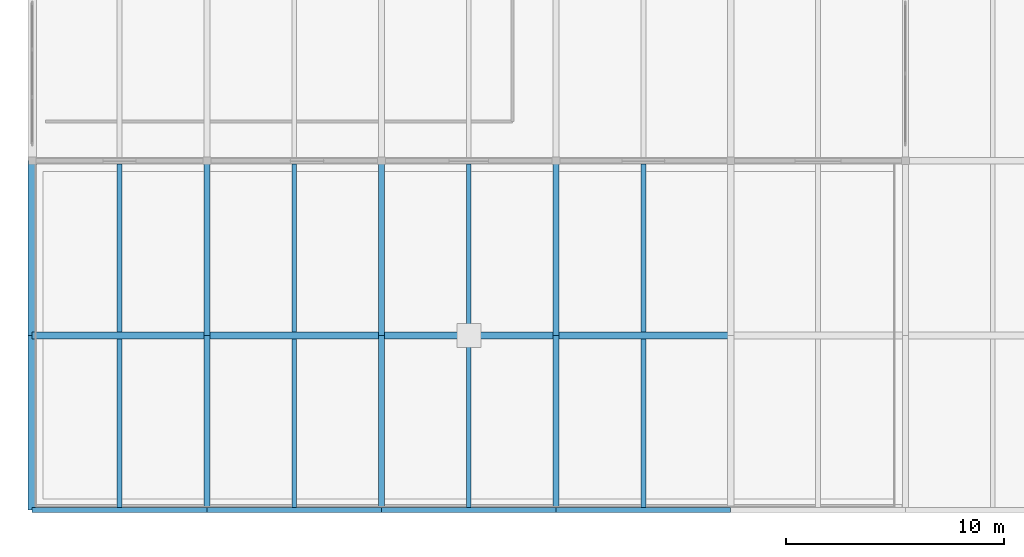
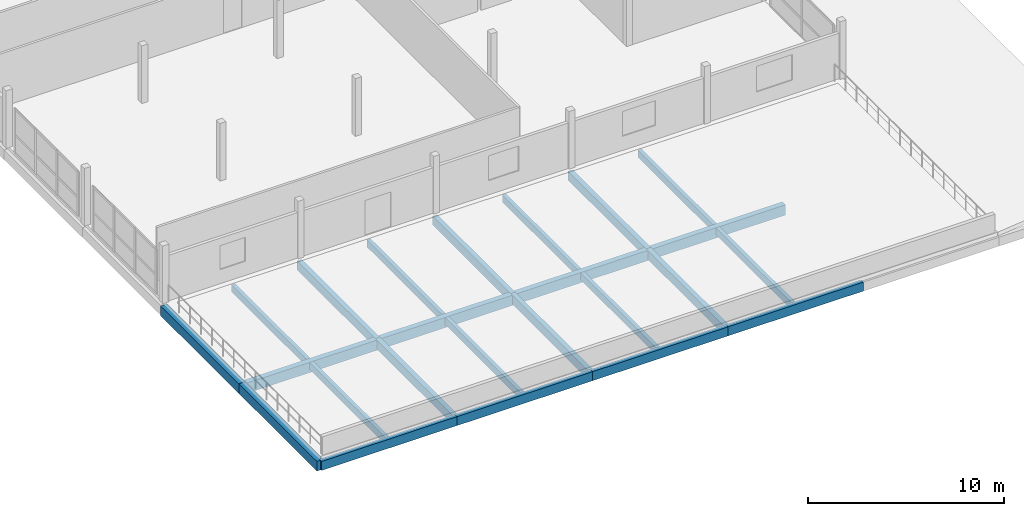
# One storey, part 3 of 25: 24 beams.
"""IFC4 building model written with IfcOpenShell, lengths in metres."""

from ifc_helpers import new_model, si_unit, direction, frame, origin, origin_2d, place, context, subcontext, project, spatial, rectangle, extrude, material, material_profile, profile_set, type_object, element, save


model = new_model("IFC4")

# Units and contexts
model_context = context("Model", 3, precision=1e-05, world=origin(), true_north=direction((0.0, 1.0)))
body_context = subcontext(model_context, "Body", "Model", "MODEL_VIEW")
ifc_project = project(units=[si_unit("LENGTHUNIT", "METRE"), si_unit("AREAUNIT", "SQUARE_METRE"), si_unit("VOLUMEUNIT", "CUBIC_METRE"), si_unit("PLANEANGLEUNIT", "RADIAN"), si_unit("MASSUNIT", "GRAM", prefix="KILO")], contexts=[model_context])

# Site, building, storey
site_placement = place(None, origin())
site = spatial("IfcSite", under=ifc_project, at=site_placement, CompositionType="ELEMENT")
building_placement = place(site_placement, origin())
building = spatial("IfcBuilding", under=site, at=building_placement, Name="Vharandega Faculty of Natural Sciences", CompositionType="ELEMENT")
storey_placement = place(building_placement, frame((0.0, 0.0, 25.199951171875)))
storey = spatial("IfcBuildingStorey", under=building, at=storey_placement, Name="L06", CompositionType="ELEMENT", Elevation=25.199951171875)

# Beams
ifc_material_1 = material(Name="Glulam GL28h", Category="wood")
ifc_material_profile_1 = material_profile(ifc_material_1, rectangle(XDim=0.280029296875, YDim=0.56005859375, at=origin_2d()), Name="GL28h 280x560")
ifc_profile_set_1 = profile_set([ifc_material_profile_1], Name="Glulam GL28h")
beam_type_1 = type_object("IfcBeamType", Name="Glulam Floor Beam 280x560", PredefinedType="BEAM", material=ifc_profile_set_1)
for number, where, z_axis, x_axis, name in (
    (1, (8.0, 16.0, -0.52001953125), (0.0, 1.0, 0.0), (-1.0, 0.0, 0.0), "Beam L06 2/C-D"),
    (2, (8.0, 24.0, -0.52001953125), (0.0, 1.0, 0.0), (-1.0, 0.0, 0.0), "Beam L06 2/D-E"),
    (3, (16.0, 16.0, -0.52001953125), (0.0, 1.0, 0.0), (-1.0, 0.0, 0.0), "Beam L06 3/C-D"),
    (4, (16.0, 24.0, -0.52001953125), (0.0, 1.0, 0.0), (-1.0, 0.0, 0.0), "Beam L06 3/D-E"),
    (5, (24.0, 16.0, -0.52001953125), (0.0, 1.0, 0.0), (-1.0, 0.0, 0.0), "Beam L06 4/C-D"),
    (6, (24.0, 24.0, -0.52001953125), (0.0, 1.0, 0.0), (-1.0, 0.0, 0.0), "Beam L06 4/D-E"),
):
    element("IfcBeam", number, at=place(storey_placement, frame(where, z_axis=z_axis, x_axis=x_axis)), inside=storey, type_object=beam_type_1, Name=name, PredefinedType="BEAM", context=body_context, shape_type="SweptSolid", body=[
        extrude(rectangle(XDim=0.280029296875, YDim=0.56005859375, at=origin_2d()), origin(), (0.0, 0.0, 1.0), 8.0),
    ])
ifc_material_2 = material(Name="Glulam GL28h", Category="wood")
ifc_material_profile_2 = material_profile(ifc_material_2, rectangle(XDim=0.320068359375, YDim=0.639892578125, at=origin_2d()), Name="GL28h 320x640")
ifc_profile_set_2 = profile_set([ifc_material_profile_2], Name="Glulam GL28h")
beam_type_2 = type_object("IfcBeamType", Name="Glulam Floor Beam 320x640", PredefinedType="BEAM", material=ifc_profile_set_2)
for number, where, z_axis, x_axis, name in (
    (7, (0.0, 24.0, -0.56005859375), (1.0, 0.0, 0.0), (0.0, 1.0, 0.0), "Beam L06 D/1-2"),
    (8, (8.0, 24.0, -0.56005859375), (1.0, 0.0, 0.0), (0.0, 1.0, 0.0), "Beam L06 D/2-3"),
    (9, (16.0, 24.0, -0.56005859375), (1.0, 0.0, 0.0), (0.0, 1.0, 0.0), "Beam L06 D/3-4"),
    (10, (24.0, 24.0, -0.56005859375), (1.0, 0.0, 0.0), (0.0, 1.0, 0.0), "Beam L06 D/4-5"),
):
    element("IfcBeam", number, at=place(storey_placement, frame(where, z_axis=z_axis, x_axis=x_axis)), inside=storey, type_object=beam_type_2, Name=name, PredefinedType="BEAM", context=body_context, shape_type="SweptSolid", body=[
        extrude(rectangle(XDim=0.320068359375, YDim=0.639892578125, at=origin_2d()), origin(), (0.0, 0.0, 1.0), 8.0),
    ])
ifc_material_3 = material(Name="Glulam GL28h", Category="wood")
ifc_material_profile_3 = material_profile(ifc_material_3, rectangle(XDim=0.219970703125, YDim=0.43994140625, at=origin_2d()), Name="GL28h 220x440")
ifc_profile_set_3 = profile_set([ifc_material_profile_3], Name="Glulam GL28h")
beam_type_3 = type_object("IfcBeamType", Name="Glulam Secondary Joist 220x440", PredefinedType="JOIST", material=ifc_profile_set_3)
beam_1_placement = place(storey_placement, frame((4.0, 16.1201171875, -0.4599609375), z_axis=(0.0, 1.0, 0.0), x_axis=(-1.0, 0.0, 0.0)))
element("IfcBeam", 11, at=beam_1_placement, inside=storey, type_object=beam_type_3, Name="Secondary Joist L06 1-2/C-D", PredefinedType="JOIST", context=body_context, shape_type="SweptSolid", body=[
    extrude(rectangle(XDim=0.219970703125, YDim=0.43994140625, at=origin_2d()), origin(), (0.0, 0.0, 1.0), 7.719970703125),
])
beam_2_placement = place(storey_placement, frame((4.0, 24.159912109375, -0.4599609375), z_axis=(0.0, 1.0, 0.0), x_axis=(-1.0, 0.0, 0.0)))
element("IfcBeam", 12, at=beam_2_placement, inside=storey, type_object=beam_type_3, Name="Secondary Joist L06 1-2/D-E", PredefinedType="JOIST", context=body_context, shape_type="SweptSolid", body=[
    extrude(rectangle(XDim=0.219970703125, YDim=0.43994140625, at=origin_2d()), origin(), (0.0, 0.0, 1.0), 7.68017578125),
])
beam_3_placement = place(storey_placement, frame((12.0, 16.1201171875, -0.4599609375), z_axis=(0.0, 1.0, 0.0), x_axis=(-1.0, 0.0, 0.0)))
element("IfcBeam", 13, at=beam_3_placement, inside=storey, type_object=beam_type_3, Name="Secondary Joist L06 2-3/C-D", PredefinedType="JOIST", context=body_context, shape_type="SweptSolid", body=[
    extrude(rectangle(XDim=0.219970703125, YDim=0.43994140625, at=origin_2d()), origin(), (0.0, 0.0, 1.0), 7.719970703125),
])
beam_4_placement = place(storey_placement, frame((12.0, 24.159912109375, -0.4599609375), z_axis=(0.0, 1.0, 0.0), x_axis=(-1.0, 0.0, 0.0)))
element("IfcBeam", 14, at=beam_4_placement, inside=storey, type_object=beam_type_3, Name="Secondary Joist L06 2-3/D-E", PredefinedType="JOIST", context=body_context, shape_type="SweptSolid", body=[
    extrude(rectangle(XDim=0.219970703125, YDim=0.43994140625, at=origin_2d()), origin(), (0.0, 0.0, 1.0), 7.68017578125),
])
beam_5_placement = place(storey_placement, frame((20.0, 16.1201171875, -0.4599609375), z_axis=(0.0, 1.0, 0.0), x_axis=(-1.0, 0.0, 0.0)))
element("IfcBeam", 15, at=beam_5_placement, inside=storey, type_object=beam_type_3, Name="Secondary Joist L06 3-4/C-D", PredefinedType="JOIST", context=body_context, shape_type="SweptSolid", body=[
    extrude(rectangle(XDim=0.219970703125, YDim=0.43994140625, at=origin_2d()), origin(), (0.0, 0.0, 1.0), 7.719970703125),
])
beam_6_placement = place(storey_placement, frame((20.0, 24.159912109375, -0.4599609375), z_axis=(0.0, 1.0, 0.0), x_axis=(-1.0, 0.0, 0.0)))
element("IfcBeam", 16, at=beam_6_placement, inside=storey, type_object=beam_type_3, Name="Secondary Joist L06 3-4/D-E", PredefinedType="JOIST", context=body_context, shape_type="SweptSolid", body=[
    extrude(rectangle(XDim=0.219970703125, YDim=0.43994140625, at=origin_2d()), origin(), (0.0, 0.0, 1.0), 7.68017578125),
])
beam_7_placement = place(storey_placement, frame((28.0, 16.1201171875, -0.4599609375), z_axis=(0.0, 1.0, 0.0), x_axis=(-1.0, 0.0, 0.0)))
element("IfcBeam", 17, at=beam_7_placement, inside=storey, type_object=beam_type_3, Name="Secondary Joist L06 4-5/C-D", PredefinedType="JOIST", context=body_context, shape_type="SweptSolid", body=[
    extrude(rectangle(XDim=0.219970703125, YDim=0.43994140625, at=origin_2d()), origin(), (0.0, 0.0, 1.0), 7.719970703125),
])
beam_8_placement = place(storey_placement, frame((28.0, 24.159912109375, -0.4599609375), z_axis=(0.0, 1.0, 0.0), x_axis=(-1.0, 0.0, 0.0)))
element("IfcBeam", 18, at=beam_8_placement, inside=storey, type_object=beam_type_3, Name="Secondary Joist L06 4-5/D-E", PredefinedType="JOIST", context=body_context, shape_type="SweptSolid", body=[
    extrude(rectangle(XDim=0.219970703125, YDim=0.43994140625, at=origin_2d()), origin(), (0.0, 0.0, 1.0), 7.68017578125),
])
ifc_material_4 = material(Name="Glulam GL28h", Category="wood")
ifc_material_profile_4 = material_profile(ifc_material_4, rectangle(XDim=0.239990234375, YDim=0.56005859375, at=origin_2d()), Name="GL28h 240x560")
ifc_profile_set_4 = profile_set([ifc_material_profile_4], Name="Glulam GL28h")
beam_type_4 = type_object("IfcBeamType", Name="Glulam Spandrel Edge Beam 240x560", PredefinedType="SPANDREL", material=ifc_profile_set_4)
for number, where, z_axis, x_axis, name in (
    (19, (0.0, 16.0, -0.52001953125), (1.0, 0.0, 0.0), (0.0, 1.0, 0.0), "Beam L06 C/1-2"),
    (20, (8.0, 16.0, -0.52001953125), (1.0, 0.0, 0.0), (0.0, 1.0, 0.0), "Beam L06 C/2-3"),
    (21, (16.0, 16.0, -0.52001953125), (1.0, 0.0, 0.0), (0.0, 1.0, 0.0), "Beam L06 C/3-4"),
    (22, (24.0, 16.0, -0.52001953125), (1.0, 0.0, 0.0), (0.0, 1.0, 0.0), "Beam L06 C/4-5"),
):
    element("IfcBeam", number, at=place(storey_placement, frame(where, z_axis=z_axis, x_axis=x_axis)), inside=storey, type_object=beam_type_4, Name=name, PredefinedType="SPANDREL", context=body_context, shape_type="SweptSolid", body=[
        extrude(rectangle(XDim=0.239990234375, YDim=0.56005859375, at=origin_2d()), origin(), (0.0, 0.0, 1.0), 8.0),
    ])
ifc_material_5 = material(Name="Glulam GL32h", Category="wood")
ifc_material_profile_5 = material_profile(ifc_material_5, rectangle(XDim=0.39990234375, YDim=0.60009765625, at=origin_2d()), Name="GL32h 400x600")
ifc_profile_set_5 = profile_set([ifc_material_profile_5], Name="Glulam GL32h")
beam_type_5 = type_object("IfcBeamType", Name="Glulam Spine Girder 400x600", PredefinedType="BEAM", material=ifc_profile_set_5)
for number, where, z_axis, x_axis, name in (
    (23, (0.0, 16.0, -0.5400390625), (0.0, 1.0, 0.0), (-1.0, 0.0, 0.0), "Beam L06 1/C-D"),
    (24, (0.0, 24.0, -0.5400390625), (0.0, 1.0, 0.0), (-1.0, 0.0, 0.0), "Beam L06 1/D-E"),
):
    element("IfcBeam", number, at=place(storey_placement, frame(where, z_axis=z_axis, x_axis=x_axis)), inside=storey, type_object=beam_type_5, Name=name, PredefinedType="BEAM", context=body_context, shape_type="SweptSolid", body=[
        extrude(rectangle(XDim=0.39990234375, YDim=0.60009765625, at=origin_2d()), origin(), (0.0, 0.0, 1.0), 8.0),
    ])

save(model, "model.ifc")
